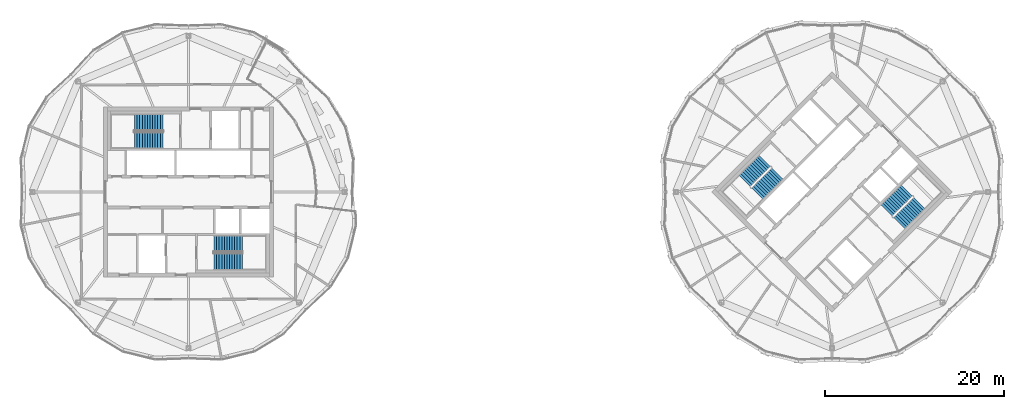
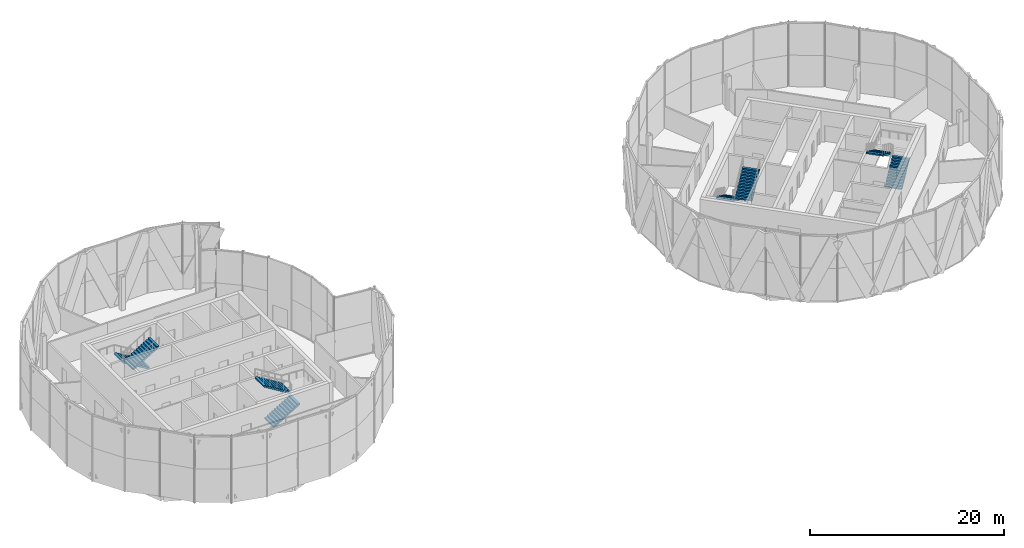
# One storey, part 21 of 24: 8 stair flights, 4 elements without a shape of their own.
"""IFC4 building model written with IfcOpenShell, lengths in metres."""

from ifc_helpers import new_model, si_unit, direction, frame, origin, place, context, subcontext, project, spatial, polyline, outline, extrude, material, type_object, element, aggregate, save


model = new_model("IFC4")

# Units and contexts
model_context = context("Model", 3, precision=1e-05, world=origin(), true_north=direction((0.0, 1.0)))
body_context = subcontext(model_context, "Body", "Model", "MODEL_VIEW")
ifc_project = project(units=[si_unit("LENGTHUNIT", "METRE"), si_unit("AREAUNIT", "SQUARE_METRE"), si_unit("VOLUMEUNIT", "CUBIC_METRE"), si_unit("PLANEANGLEUNIT", "RADIAN"), si_unit("MASSUNIT", "GRAM", prefix="KILO")], contexts=[model_context])

# Site, building, storey
site_placement = place(None, origin())
site = spatial("IfcSite", under=ifc_project, at=site_placement, CompositionType="ELEMENT")
building_placement = place(site_placement, origin())
building = spatial("IfcBuilding", under=site, at=building_placement, Name="Ogive Gate Towers", CompositionType="ELEMENT")
storey_placement = place(building_placement, frame((0.0, 0.0, 277.199951171875)))
storey = spatial("IfcBuildingStorey", under=building, at=storey_placement, Name="L65", CompositionType="ELEMENT", Elevation=277.199951171875)

# Stair, stair flights
ifc_material = material(Name="Concrete C40/50", Category="concrete")
stair_type = type_object("IfcStairType", Name="Escape stair 1840 wide", PredefinedType="HALF_TURN_STAIR", material=ifc_material)
stair_1_placement = place(storey_placement, origin())
stair_1 = element("IfcStair", 1, at=stair_1_placement, inside=storey, type_object=stair_type, Name="L65 Escape stair 1", PredefinedType="HALF_TURN_STAIR")
stair_flight_type = type_object("IfcStairFlightType", Name="Stair flight 1840 wide", PredefinedType="STRAIGHT", material=ifc_material)
stair_flight_1_placement = place(storey_placement, frame((-38.864990234375, 7.780029296875, 0.0), z_axis=(0.0, 0.0, 1.0), x_axis=(-1.0, 0.0, 0.0)))
stair_flight_1 = element("IfcStairFlight", 2, at=stair_flight_1_placement, type_object=stair_flight_type, Name="ST1 flight 1", NumberOfRisers=12, NumberOfTreads=11, PredefinedType="STRAIGHT", RiserHeight=0.175, TreadLength=0.2875, context=body_context, shape_type="SweptSolid", body=[
    extrude(outline(polyline([(0.0, 0.0), (0.0, 0.175048828125), (0.28759765625, 0.175048828125), (0.28759765625, 0.35009765625), (0.574951171875, 0.35009765625), (0.574951171875, 0.52490234375), (0.862548828125, 0.52490234375), (0.862548828125, 0.699951171875), (1.14990234375, 0.699951171875), (1.14990234375, 0.875), (1.4375, 0.875), (1.4375, 1.050048828125), (1.72509765625, 1.050048828125), (1.72509765625, 1.22509765625), (2.012451171875, 1.22509765625), (2.012451171875, 1.39990234375), (2.300048828125, 1.39990234375), (2.300048828125, 1.574951171875), (2.58740234375, 1.574951171875), (2.58740234375, 1.75), (2.875, 1.75), (2.875, 1.925048828125), (3.16259765625, 1.925048828125), (3.16259765625, 2.10009765625), (3.16259765625, 1.74951171875), (0.288330078125, 0.0), (0.0, 0.0)])), frame((0.0, 0.919921875, 0.0), z_axis=(0.0, -1.0, 0.0), x_axis=(1.0, 0.0, 0.0)), (0.0, 0.0, 1.0), 1.840087890625),
])
stair_flight_2_placement = place(storey_placement, frame((-42.027587890625, 5.794921875, 2.10009765625), z_axis=(0.0, 0.0, 1.0), x_axis=(1.0, 0.0, 0.0)))
stair_flight_2 = element("IfcStairFlight", 3, at=stair_flight_2_placement, type_object=stair_flight_type, Name="ST1 flight 2", NumberOfRisers=12, NumberOfTreads=11, PredefinedType="STRAIGHT", RiserHeight=0.175, TreadLength=0.2875, context=body_context, shape_type="SweptSolid", body=[
    extrude(outline(polyline([(0.0, 0.0), (0.0, 0.175048828125), (0.28759765625, 0.175048828125), (0.28759765625, 0.35009765625), (0.574951171875, 0.35009765625), (0.574951171875, 0.52490234375), (0.862548828125, 0.52490234375), (0.862548828125, 0.699951171875), (1.14990234375, 0.699951171875), (1.14990234375, 0.875), (1.4375, 0.875), (1.4375, 1.050048828125), (1.72509765625, 1.050048828125), (1.72509765625, 1.22509765625), (2.012451171875, 1.22509765625), (2.012451171875, 1.39990234375), (2.300048828125, 1.39990234375), (2.300048828125, 1.574951171875), (2.58740234375, 1.574951171875), (2.58740234375, 1.75), (2.875, 1.75), (2.875, 1.925048828125), (3.16259765625, 1.925048828125), (3.16259765625, 2.10009765625), (3.16259765625, 1.74951171875), (0.288330078125, 0.0), (0.0, 0.0)])), frame((0.0, 0.919921875, 0.0), z_axis=(0.0, -1.0, 0.0), x_axis=(1.0, 0.0, 0.0)), (0.0, 0.0, 1.0), 1.840087890625),
])
aggregate(stair_1, [stair_flight_1, stair_flight_2])

stair_2_placement = place(storey_placement, origin())
stair_2 = element("IfcStair", 4, at=stair_2_placement, inside=storey, type_object=stair_type, Name="L65 Escape stair 2", PredefinedType="HALF_TURN_STAIR")
stair_flight_3_placement = place(storey_placement, frame((-33.135009765625, -7.780029296875, 0.0), z_axis=(0.0, 0.0, 1.0), x_axis=(1.0, 0.0, 0.0)))
stair_flight_3 = element("IfcStairFlight", 5, at=stair_flight_3_placement, type_object=stair_flight_type, Name="ST2 flight 1", NumberOfRisers=12, NumberOfTreads=11, PredefinedType="STRAIGHT", RiserHeight=0.175, TreadLength=0.2875, context=body_context, shape_type="SweptSolid", body=[
    extrude(outline(polyline([(0.0, 0.0), (0.0, 0.175048828125), (0.28759765625, 0.175048828125), (0.28759765625, 0.35009765625), (0.574951171875, 0.35009765625), (0.574951171875, 0.52490234375), (0.862548828125, 0.52490234375), (0.862548828125, 0.699951171875), (1.14990234375, 0.699951171875), (1.14990234375, 0.875), (1.4375, 0.875), (1.4375, 1.050048828125), (1.72509765625, 1.050048828125), (1.72509765625, 1.22509765625), (2.012451171875, 1.22509765625), (2.012451171875, 1.39990234375), (2.300048828125, 1.39990234375), (2.300048828125, 1.574951171875), (2.58740234375, 1.574951171875), (2.58740234375, 1.75), (2.875, 1.75), (2.875, 1.925048828125), (3.16259765625, 1.925048828125), (3.16259765625, 2.10009765625), (3.16259765625, 1.74951171875), (0.288330078125, 0.0), (0.0, 0.0)])), frame((0.0, 0.919921875, 0.0), z_axis=(0.0, -1.0, 0.0), x_axis=(1.0, 0.0, 0.0)), (0.0, 0.0, 1.0), 1.840087890625),
])
stair_flight_4_placement = place(storey_placement, frame((-29.972412109375, -5.794921875, 2.10009765625), z_axis=(0.0, 0.0, 1.0), x_axis=(-1.0, 0.0, 0.0)))
stair_flight_4 = element("IfcStairFlight", 6, at=stair_flight_4_placement, type_object=stair_flight_type, Name="ST2 flight 2", NumberOfRisers=12, NumberOfTreads=11, PredefinedType="STRAIGHT", RiserHeight=0.175, TreadLength=0.2875, context=body_context, shape_type="SweptSolid", body=[
    extrude(outline(polyline([(0.0, 0.0), (0.0, 0.175048828125), (0.28759765625, 0.175048828125), (0.28759765625, 0.35009765625), (0.574951171875, 0.35009765625), (0.574951171875, 0.52490234375), (0.862548828125, 0.52490234375), (0.862548828125, 0.699951171875), (1.14990234375, 0.699951171875), (1.14990234375, 0.875), (1.4375, 0.875), (1.4375, 1.050048828125), (1.72509765625, 1.050048828125), (1.72509765625, 1.22509765625), (2.012451171875, 1.22509765625), (2.012451171875, 1.39990234375), (2.300048828125, 1.39990234375), (2.300048828125, 1.574951171875), (2.58740234375, 1.574951171875), (2.58740234375, 1.75), (2.875, 1.75), (2.875, 1.925048828125), (3.16259765625, 1.925048828125), (3.16259765625, 2.10009765625), (3.16259765625, 1.74951171875), (0.288330078125, 0.0), (0.0, 0.0)])), frame((0.0, 0.919921875, 0.0), z_axis=(0.0, -1.0, 0.0), x_axis=(1.0, 0.0, 0.0)), (0.0, 0.0, 1.0), 1.840087890625),
])
aggregate(stair_2, [stair_flight_3, stair_flight_4])

stair_3_placement = place(storey_placement, origin())
stair_3 = element("IfcStair", 7, at=stair_3_placement, inside=storey, type_object=stair_type, Name="L65 Escape stair 1", PredefinedType="HALF_TURN_STAIR")
stair_flight_5_placement = place(storey_placement, frame((28.472900390625, 3.475341796875, 0.0), z_axis=(0.0, 0.0, 1.0), x_axis=(-0.707106781187, -0.707106781187, 0.0)))
stair_flight_5 = element("IfcStairFlight", 8, at=stair_flight_5_placement, type_object=stair_flight_type, Name="ST1 flight 1", NumberOfRisers=12, NumberOfTreads=11, PredefinedType="STRAIGHT", RiserHeight=0.175, TreadLength=0.2875, context=body_context, shape_type="SweptSolid", body=[
    extrude(outline(polyline([(0.0, 0.0), (0.0, 0.175048828125), (0.28759765625, 0.175048828125), (0.28759765625, 0.35009765625), (0.574951171875, 0.35009765625), (0.574951171875, 0.52490234375), (0.862548828125, 0.52490234375), (0.862548828125, 0.699951171875), (1.14990234375, 0.699951171875), (1.14990234375, 0.875), (1.4375, 0.875), (1.4375, 1.050048828125), (1.72509765625, 1.050048828125), (1.72509765625, 1.22509765625), (2.012451171875, 1.22509765625), (2.012451171875, 1.39990234375), (2.300048828125, 1.39990234375), (2.300048828125, 1.574951171875), (2.58740234375, 1.574951171875), (2.58740234375, 1.75), (2.875, 1.75), (2.875, 1.925048828125), (3.16259765625, 1.925048828125), (3.16259765625, 2.10009765625), (3.16259765625, 1.74951171875), (0.288330078125, 0.0), (0.0, 0.0)])), frame((0.0, 0.919921875, 0.0), z_axis=(0.0, -1.0, 0.0), x_axis=(1.0, 0.0, 0.0)), (0.0, 0.0, 1.0), 1.840087890625),
])
stair_flight_6_placement = place(storey_placement, frame((27.64013671875, -0.164306640625, 2.10009765625), z_axis=(0.0, 0.0, 1.0), x_axis=(0.707106781187, 0.707106781187, 0.0)))
stair_flight_6 = element("IfcStairFlight", 9, at=stair_flight_6_placement, type_object=stair_flight_type, Name="ST1 flight 2", NumberOfRisers=12, NumberOfTreads=11, PredefinedType="STRAIGHT", RiserHeight=0.175, TreadLength=0.2875, context=body_context, shape_type="SweptSolid", body=[
    extrude(outline(polyline([(0.0, 0.0), (0.0, 0.175048828125), (0.28759765625, 0.175048828125), (0.28759765625, 0.35009765625), (0.574951171875, 0.35009765625), (0.574951171875, 0.52490234375), (0.862548828125, 0.52490234375), (0.862548828125, 0.699951171875), (1.14990234375, 0.699951171875), (1.14990234375, 0.875), (1.4375, 0.875), (1.4375, 1.050048828125), (1.72509765625, 1.050048828125), (1.72509765625, 1.22509765625), (2.012451171875, 1.22509765625), (2.012451171875, 1.39990234375), (2.300048828125, 1.39990234375), (2.300048828125, 1.574951171875), (2.58740234375, 1.574951171875), (2.58740234375, 1.75), (2.875, 1.75), (2.875, 1.925048828125), (3.16259765625, 1.925048828125), (3.16259765625, 2.10009765625), (3.16259765625, 1.74951171875), (0.288330078125, 0.0), (0.0, 0.0)])), frame((0.0, 0.919921875, 0.0), z_axis=(0.0, -1.0, 0.0), x_axis=(1.0, 0.0, 0.0)), (0.0, 0.0, 1.0), 1.840087890625),
])
aggregate(stair_3, [stair_flight_5, stair_flight_6])

stair_4_placement = place(storey_placement, origin())
stair_4 = element("IfcStair", 10, at=stair_4_placement, inside=storey, type_object=stair_type, Name="L65 Escape stair 2", PredefinedType="HALF_TURN_STAIR")
stair_flight_7_placement = place(storey_placement, frame((43.527099609375, -3.475341796875, 0.0), z_axis=(0.0, 0.0, 1.0), x_axis=(0.707106781187, 0.707106781187, 0.0)))
stair_flight_7 = element("IfcStairFlight", 11, at=stair_flight_7_placement, type_object=stair_flight_type, Name="ST2 flight 1", NumberOfRisers=12, NumberOfTreads=11, PredefinedType="STRAIGHT", RiserHeight=0.175, TreadLength=0.2875, context=body_context, shape_type="SweptSolid", body=[
    extrude(outline(polyline([(0.0, 0.0), (0.0, 0.175048828125), (0.28759765625, 0.175048828125), (0.28759765625, 0.35009765625), (0.574951171875, 0.35009765625), (0.574951171875, 0.52490234375), (0.862548828125, 0.52490234375), (0.862548828125, 0.699951171875), (1.14990234375, 0.699951171875), (1.14990234375, 0.875), (1.4375, 0.875), (1.4375, 1.050048828125), (1.72509765625, 1.050048828125), (1.72509765625, 1.22509765625), (2.012451171875, 1.22509765625), (2.012451171875, 1.39990234375), (2.300048828125, 1.39990234375), (2.300048828125, 1.574951171875), (2.58740234375, 1.574951171875), (2.58740234375, 1.75), (2.875, 1.75), (2.875, 1.925048828125), (3.16259765625, 1.925048828125), (3.16259765625, 2.10009765625), (3.16259765625, 1.74951171875), (0.288330078125, 0.0), (0.0, 0.0)])), frame((0.0, 0.919921875, 0.0), z_axis=(0.0, -1.0, 0.0), x_axis=(1.0, 0.0, 0.0)), (0.0, 0.0, 1.0), 1.840087890625),
])
stair_flight_8_placement = place(storey_placement, frame((44.35986328125, 0.164306640625, 2.10009765625), z_axis=(0.0, 0.0, 1.0), x_axis=(-0.707106781187, -0.707106781187, 0.0)))
stair_flight_8 = element("IfcStairFlight", 12, at=stair_flight_8_placement, type_object=stair_flight_type, Name="ST2 flight 2", NumberOfRisers=12, NumberOfTreads=11, PredefinedType="STRAIGHT", RiserHeight=0.175, TreadLength=0.2875, context=body_context, shape_type="SweptSolid", body=[
    extrude(outline(polyline([(0.0, 0.0), (0.0, 0.175048828125), (0.28759765625, 0.175048828125), (0.28759765625, 0.35009765625), (0.574951171875, 0.35009765625), (0.574951171875, 0.52490234375), (0.862548828125, 0.52490234375), (0.862548828125, 0.699951171875), (1.14990234375, 0.699951171875), (1.14990234375, 0.875), (1.4375, 0.875), (1.4375, 1.050048828125), (1.72509765625, 1.050048828125), (1.72509765625, 1.22509765625), (2.012451171875, 1.22509765625), (2.012451171875, 1.39990234375), (2.300048828125, 1.39990234375), (2.300048828125, 1.574951171875), (2.58740234375, 1.574951171875), (2.58740234375, 1.75), (2.875, 1.75), (2.875, 1.925048828125), (3.16259765625, 1.925048828125), (3.16259765625, 2.10009765625), (3.16259765625, 1.74951171875), (0.288330078125, 0.0), (0.0, 0.0)])), frame((0.0, 0.919921875, 0.0), z_axis=(0.0, -1.0, 0.0), x_axis=(1.0, 0.0, 0.0)), (0.0, 0.0, 1.0), 1.840087890625),
])
aggregate(stair_4, [stair_flight_7, stair_flight_8])

save(model, "model.ifc")
